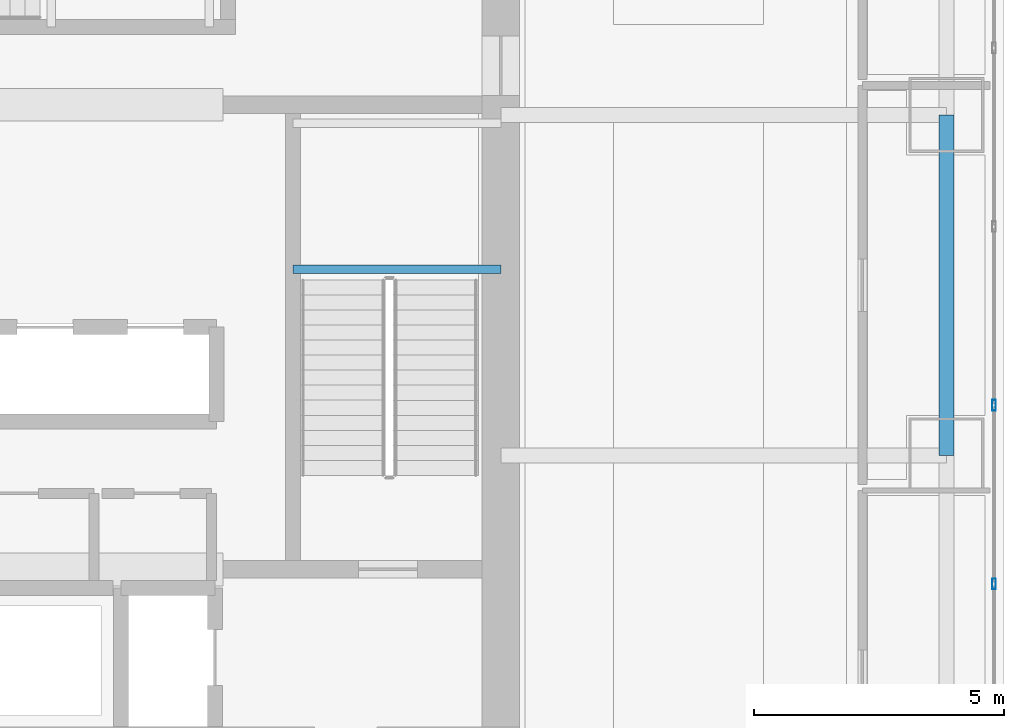
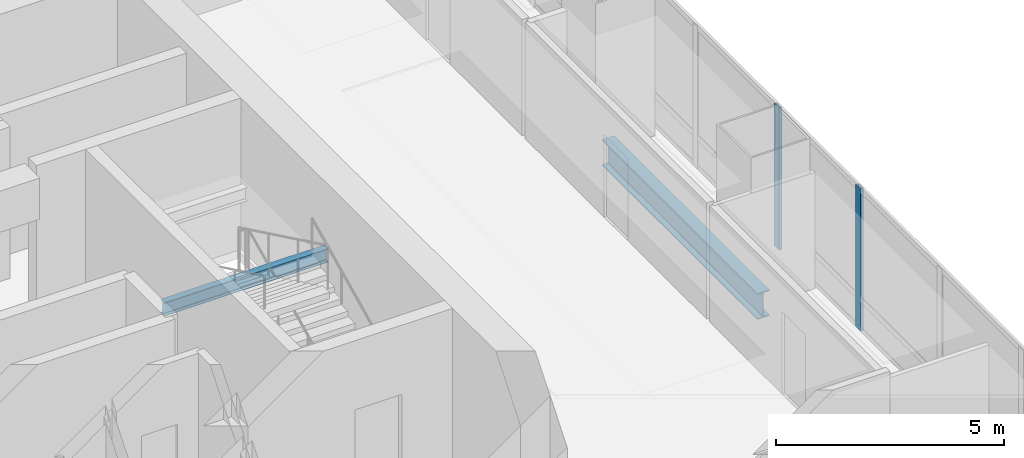
# One storey, part 15 of 36: 2 beams, 2 members, 1 element without a shape of its own.
"""IFC4 building model written with IfcOpenShell, lengths in metres."""

from ifc_helpers import new_model, si_unit, direction, frame, origin, origin_2d, place, context, subcontext, project, spatial, hollow_rectangle, i_section, extrude, material, material_profile, profile_set, type_object, element, aggregate, save


model = new_model("IFC4")

# Units and contexts
model_context = context("Model", 3, precision=1e-05, world=origin(), true_north=direction((0.0, 1.0)))
body_context = subcontext(model_context, "Body", "Model", "MODEL_VIEW")
ifc_project = project(units=[si_unit("LENGTHUNIT", "METRE"), si_unit("AREAUNIT", "SQUARE_METRE"), si_unit("VOLUMEUNIT", "CUBIC_METRE"), si_unit("PLANEANGLEUNIT", "RADIAN"), si_unit("MASSUNIT", "GRAM", prefix="KILO")], contexts=[model_context])

# Site, building, storey
site_placement = place(None, origin())
site = spatial("IfcSite", under=ifc_project, at=site_placement, CompositionType="ELEMENT")
building_placement = place(site_placement, origin())
building = spatial("IfcBuilding", under=site, at=building_placement, Name="Punatoya Terracotta Tower", CompositionType="ELEMENT")
storey_placement = place(building_placement, frame((0.0, 0.0, 40.35009765625)))
storey = spatial("IfcBuildingStorey", under=building, at=storey_placement, Name="L08", CompositionType="ELEMENT", Elevation=40.35009765625)

# Beams
ifc_material_1 = material(Name="Steel S355", Category="steel")
ifc_material_profile_1 = material_profile(ifc_material_1, i_section(OverallWidth=0.300048828125, OverallDepth=0.699951171875, WebThickness=0.01708984375, FlangeThickness=0.031982421875, FilletRadius=0.01806640625, at=origin_2d()))
ifc_profile_set_1 = profile_set([ifc_material_profile_1], Name="Steel S355")
beam_type_1 = type_object("IfcBeamType", Name="BM-PRI-700", PredefinedType="BEAM", material=ifc_profile_set_1)
beam_1_placement = place(storey_placement, frame((19.10009765625, -3.39990234375, -0.590087890625), z_axis=(0.0, 1.0, 0.0), x_axis=(-1.0, 0.0, 0.0)))
element("IfcBeam", 1, at=beam_1_placement, inside=storey, type_object=beam_type_1, Name="BM-L08-RG-E2", PredefinedType="BEAM", context=body_context, shape_type="SweptSolid", body=[
    extrude(i_section(OverallWidth=0.300048828125, OverallDepth=0.699951171875, WebThickness=0.01708984375, FlangeThickness=0.031982421875, FilletRadius=0.01806640625, at=origin_2d()), origin(), (0.0, 0.0, 1.0), 6.7998046875),
])
ifc_material_profile_2 = material_profile(ifc_material_1, i_section(OverallWidth=0.169921875, OverallDepth=0.360107421875, WebThickness=0.008056640625, FlangeThickness=0.0126953125, FilletRadius=0.01806640625, at=origin_2d()))
ifc_profile_set_2 = profile_set([ifc_material_profile_2], Name="Steel S355")
beam_type_2 = type_object("IfcBeamType", Name="BM-SEC-360", PredefinedType="JOIST", material=ifc_profile_set_2)
beam_2_placement = place(storey_placement, frame((6.050048828125, 0.320068359375, 1.64501953125), z_axis=(1.0, 0.0, 0.0), x_axis=(0.0, 1.0, 0.0)))
element("IfcBeam", 2, at=beam_2_placement, inside=storey, type_object=beam_type_2, Name="BM-L08-ST-2-LD1A", PredefinedType="JOIST", context=body_context, shape_type="SweptSolid", body=[
    extrude(i_section(OverallWidth=0.169921875, OverallDepth=0.360107421875, WebThickness=0.008056640625, FlangeThickness=0.0126953125, FilletRadius=0.01806640625, at=origin_2d()), origin(), (0.0, 0.0, 1.0), 4.14990234375),
])

# Curtain wall, members
ifc_material_2 = material(Name="Aluminium 6063-T6 + Double Low-E Glass", Category="aluminium")
curtain_wall_type = type_object("IfcCurtainWallType", Name="CW-M1", PredefinedType="NOTDEFINED", material=ifc_material_2)
curtain_wall_placement = place(storey_placement, origin())
curtain_wall = element("IfcCurtainWall", 3, at=curtain_wall_placement, inside=storey, type_object=curtain_wall_type, Name="L08 Curtain Wall CW-L08-E05-1", PredefinedType="NOTDEFINED")
ifc_material_3 = material(Name="Aluminium 6063-T6", Category="aluminium")
ifc_material_profile_3 = material_profile(ifc_material_3, hollow_rectangle(XDim=0.074951171875, YDim=0.2099609375, WallThickness=0.00439453125, at=origin_2d()))
ifc_profile_set_3 = profile_set([ifc_material_profile_3], Name="Aluminium 6063-T6")
member_type = type_object("IfcMemberType", Name="CW-MUL-M1", PredefinedType="MULLION", material=ifc_profile_set_3)
member_1_placement = place(storey_placement, frame((20.050048828125, -5.96728515625, 0.0), z_axis=(0.0, 0.0, 1.0), x_axis=(1.0, 0.0, 0.0)))
member_1 = element("IfcMember", 4, at=member_1_placement, type_object=member_type, Name="CW-L08-E05-1 Mullion 04", PredefinedType="MULLION", context=body_context, shape_type="SweptSolid", body=[
    extrude(hollow_rectangle(XDim=0.074951171875, YDim=0.2099609375, WallThickness=0.00439453125, at=origin_2d()), origin(), (0.0, 0.0, 1.0), 3.809814453125),
])
member_2_placement = place(storey_placement, frame((20.050048828125, -2.39990234375, 0.0), z_axis=(0.0, 0.0, 1.0), x_axis=(1.0, 0.0, 0.0)))
member_2 = element("IfcMember", 5, at=member_2_placement, type_object=member_type, Name="CW-L08-E05-1 Mullion 05", PredefinedType="MULLION", context=body_context, shape_type="SweptSolid", body=[
    extrude(hollow_rectangle(XDim=0.074951171875, YDim=0.2099609375, WallThickness=0.00439453125, at=origin_2d()), origin(), (0.0, 0.0, 1.0), 3.809814453125),
])
aggregate(curtain_wall, [member_1, member_2])

save(model, "model.ifc")
